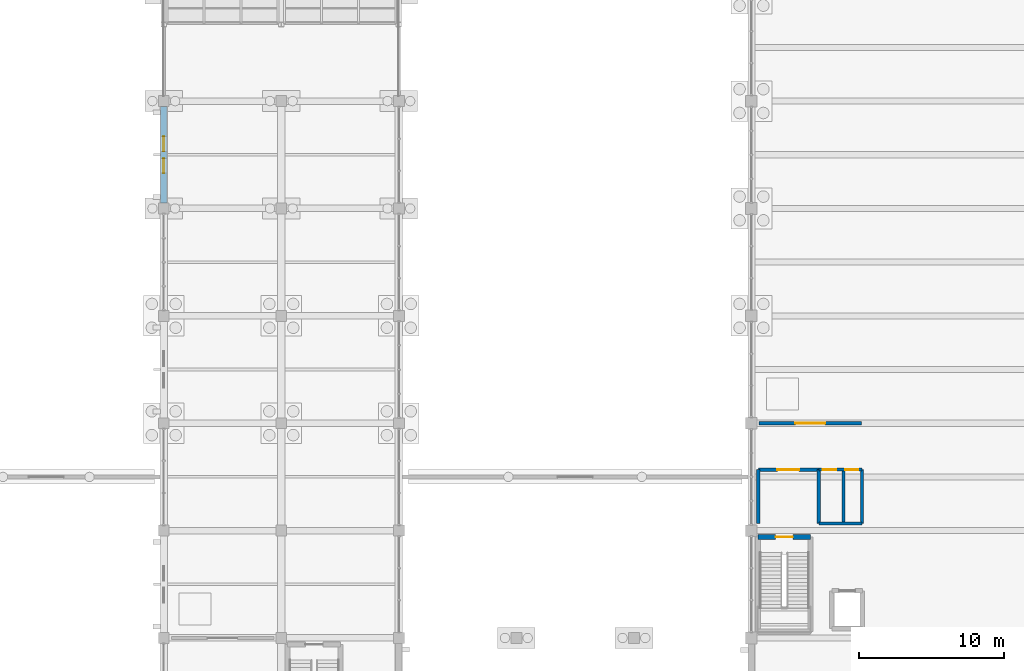
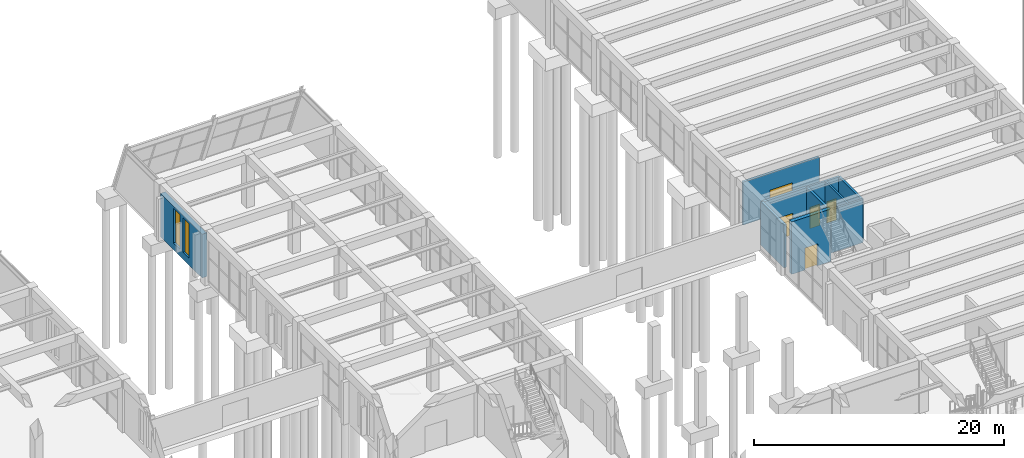
# One storey, part 128 of 140: 10 walls, 5 doors, 2 windows, 7 openings.
"""IFC4 building model written with IfcOpenShell, lengths in metres."""

from ifc_helpers import new_model, si_unit, direction, frame, frame_2d, origin, place, context, subcontext, project, spatial, rectangle, extrude, material, layer, layer_set, type_object, element, fill, save


model = new_model("IFC4")

# Units and contexts
model_context = context("Model", 3, precision=1e-05, world=origin(), true_north=direction((0.0, 1.0)))
body_context = subcontext(model_context, "Body", "Model", "MODEL_VIEW")
ifc_project = project(units=[si_unit("LENGTHUNIT", "METRE"), si_unit("AREAUNIT", "SQUARE_METRE"), si_unit("VOLUMEUNIT", "CUBIC_METRE"), si_unit("PLANEANGLEUNIT", "RADIAN"), si_unit("MASSUNIT", "GRAM", prefix="KILO")], contexts=[model_context])

# Site, building, storey
site_placement = place(None, origin())
site = spatial("IfcSite", under=ifc_project, at=site_placement, CompositionType="ELEMENT")
building_placement = place(site_placement, origin())
building = spatial("IfcBuilding", under=site, at=building_placement, Name="Cimatlan Art Gallery", CompositionType="ELEMENT")
storey_placement = place(building_placement, origin())
storey = spatial("IfcBuildingStorey", under=building, at=storey_placement, Name="L00", CompositionType="ELEMENT", Elevation=0.0)

# Wall, opening, door
ifc_material_1 = material(Name="Concrete C40/50", Category="concrete")
ifc_layer_1 = layer(ifc_material_1, 0.35009765625)
ifc_layer_set_1 = layer_set([ifc_layer_1], Name="Concrete C40/50")
wall_type_1 = type_object("IfcWallType", Name="W-CORE-350", PredefinedType="SHEAR", material=ifc_layer_set_1)
wall_1_placement = place(storey_placement, frame((75.340087890625, 67.860107421875, 0.0), z_axis=(0.0, 0.0, 1.0), x_axis=(1.0, 0.0, 0.0)))
wall_1 = element("IfcWall", 1, at=wall_1_placement, inside=storey, type_object=wall_type_1, Name="WL-CORE-C6-L00-SN", PredefinedType="SHEAR", context=body_context, shape_type="SweptSolid", body=[
    extrude(rectangle(XDim=3.639892578125, YDim=0.35009765625, at=frame_2d((1.81982421875, 0.0))), origin(), (0.0, 0.0, 1.0), 5.1298828125),
])
opening_1_placement = place(wall_1_placement, frame((1.219970703125, 0.0, 0.0)))
opening_1 = element("IfcOpeningElement", 2, at=opening_1_placement, cuts=wall_1, Name="Opening FD-C6-L00", PredefinedType="OPENING", context=body_context, shape_type="SweptSolid", body=[
    extrude(rectangle(XDim=1.199951171875, YDim=2.14990234375, at=frame_2d((0.60009765625, 1.074951171875))), frame((0.0, 0.18505859375, 0.0), z_axis=(0.0, -1.0, 0.0), x_axis=(1.0, 0.0, 0.0)), (0.0, 0.0, 1.0), 0.3701171875),
])
ifc_material_2 = material(Name="Fire-resisting steel acoustic stair door", Category="steel")
door_type_1 = type_object("IfcDoorType", Name="FD-ST-1200", OperationType="NOTDEFINED", PredefinedType="DOOR", material=ifc_material_2)
door_1_placement = place(opening_1_placement, origin())
door_1 = element("IfcDoor", 3, at=door_1_placement, inside=storey, type_object=door_type_1, Name="DR-C6-L00-ST", OperationType="SINGLE_SWING_LEFT", OverallHeight=2.14990234375, OverallWidth=1.199951171875, PredefinedType="DOOR", context=body_context, shape_type="SweptSolid", body=[
    extrude(rectangle(XDim=1.199951171875, YDim=2.14990234375, at=frame_2d((0.60009765625, 1.074951171875))), frame((0.0, 0.02490234375, 0.0), z_axis=(0.0, -1.0, 0.0), x_axis=(1.0, 0.0, 0.0)), (0.0, 0.0, 1.0), 0.050048828125),
])
fill(opening_1, door_1)

ifc_material_3 = material(Name="Precast concrete C40/50", Category="concrete")
ifc_layer_2 = layer(ifc_material_3, 0.2451171875)
ifc_layer_set_2 = layer_set([ifc_layer_2], Name="Precast concrete C40/50")
wall_type_2 = type_object("IfcWallType", Name="W-FFL-245", PredefinedType="PARTITIONING", material=ifc_layer_set_2)
wall_2_placement = place(storey_placement, frame((75.3798828125, 72.5, 0.0), z_axis=(0.0, 0.0, 1.0), x_axis=(1.0, 0.0, 0.0)))
wall_2 = element("IfcWall", 4, at=wall_2_placement, inside=storey, type_object=wall_type_2, Name="WL-LOB-C6-L00-N", PredefinedType="PARTITIONING", context=body_context, shape_type="SweptSolid", body=[
    extrude(rectangle(XDim=4.170166015625, YDim=0.2451171875, at=frame_2d((2.0849609375, 0.0))), origin(), (0.0, 0.0, 1.0), 4.197998046875),
])
opening_2_placement = place(wall_2_placement, frame((1.300048828125, 0.0, 0.0)))
opening_2 = element("IfcOpeningElement", 5, at=opening_2_placement, cuts=wall_2, Name="Opening FDL-C6-L00", PredefinedType="OPENING", context=body_context, shape_type="SweptSolid", body=[
    extrude(rectangle(XDim=1.5, YDim=2.14990234375, at=frame_2d((0.75, 1.074951171875))), frame((0.0, 0.132568359375, 0.0), z_axis=(0.0, -1.0, 0.0), x_axis=(1.0, 0.0, 0.0)), (0.0, 0.0, 1.0), 0.26513671875),
])
ifc_material_4 = material(Name="Fire-resisting double-seal lobby door")
door_type_2 = type_object("IfcDoorType", Name="FD-LB-1500", OperationType="NOTDEFINED", PredefinedType="DOOR", material=ifc_material_4)
door_2_placement = place(opening_2_placement, origin())
door_2 = element("IfcDoor", 6, at=door_2_placement, inside=storey, type_object=door_type_2, Name="DR-LOB-C6-L00", OperationType="SINGLE_SWING_RIGHT", OverallHeight=2.14990234375, OverallWidth=1.5, PredefinedType="DOOR", context=body_context, shape_type="SweptSolid", body=[
    extrude(rectangle(XDim=1.5, YDim=2.14990234375, at=frame_2d((0.75, 1.074951171875))), frame((0.0, 0.02490234375, 0.0), z_axis=(0.0, -1.0, 0.0), x_axis=(1.0, 0.0, 0.0)), (0.0, 0.0, 1.0), 0.050048828125),
])
fill(opening_2, door_2)

# Walls
for number, where, z_axis, x_axis, name in (
    (7, (75.3798828125, 68.780029296875, 0.0), (0.0, 0.0, 1.0), (0.0, 1.0, 0.0), "WL-LOB-C6-L00-W"),
    (8, (79.550048828125, 68.780029296875, 0.0), (0.0, 0.0, 1.0), (0.0, 1.0, 0.0), "WL-LOB-C6-L00-M"),
):
    element("IfcWall", number, at=place(storey_placement, frame(where, z_axis=z_axis, x_axis=x_axis)), inside=storey, type_object=wall_type_2, Name=name, PredefinedType="PARTITIONING", context=body_context, shape_type="SweptSolid", body=[
        extrude(rectangle(XDim=3.719970703125, YDim=0.2451171875, at=frame_2d((1.85986328125, 0.0))), origin(), (0.0, 0.0, 1.0), 4.197998046875),
    ])

# Wall, opening, door
ifc_material_5 = material(Name="Acoustic gypsum and steel stud partition", Category="steel")
ifc_layer_3 = layer(ifc_material_5, 0.22509765625)
ifc_layer_set_3 = layer_set([ifc_layer_3], Name="Acoustic gypsum and steel stud partition")
wall_type_3 = type_object("IfcWallType", Name="W-GAL-225", PredefinedType="PARTITIONING", material=ifc_layer_set_3)
wall_3_placement = place(storey_placement, frame((75.419921875, 75.699951171875, 0.0), z_axis=(0.0, 0.0, 1.0), x_axis=(1.0, 0.0, 0.0)))
wall_3 = element("IfcWall", 9, at=wall_3_placement, inside=storey, type_object=wall_type_3, Name="WL-RM-L00-GAL-C2", PredefinedType="PARTITIONING", context=body_context, shape_type="SweptSolid", body=[
    extrude(rectangle(XDim=7.06005859375, YDim=0.22509765625, at=frame_2d((3.530029296875, 0.0))), origin(), (0.0, 0.0, 1.0), 4.197998046875),
])
opening_3_placement = place(wall_3_placement, frame((2.5048828125, 0.0, 0.0)))
opening_3 = element("IfcOpeningElement", 10, at=opening_3_placement, cuts=wall_3, Name="Opening DI-0184", PredefinedType="OPENING", context=body_context, shape_type="SweptSolid", body=[
    extrude(rectangle(XDim=2.050048828125, YDim=2.550048828125, at=frame_2d((1.02490234375, 1.27490234375))), frame((0.0, 0.12255859375, 0.0), z_axis=(0.0, -1.0, 0.0), x_axis=(1.0, 0.0, 0.0)), (0.0, 0.0, 1.0), 0.2451171875),
])
ifc_material_6 = material(Name="European oak and bronze gallery portal door")
door_type_3 = type_object("IfcDoorType", Name="DI-GL-2050", OperationType="NOTDEFINED", PredefinedType="DOOR", material=ifc_material_6)
door_3_placement = place(opening_3_placement, origin())
door_3 = element("IfcDoor", 11, at=door_3_placement, inside=storey, type_object=door_type_3, Name="DR-RM-L00-GAL-C2", OperationType="SINGLE_SWING_RIGHT", OverallHeight=2.550048828125, OverallWidth=2.050048828125, PredefinedType="DOOR", context=body_context, shape_type="SweptSolid", body=[
    extrude(rectangle(XDim=2.050048828125, YDim=2.550048828125, at=frame_2d((1.02490234375, 1.27490234375))), frame((0.0, 0.02490234375, 0.0), z_axis=(0.0, -1.0, 0.0), x_axis=(1.0, 0.0, 0.0)), (0.0, 0.0, 1.0), 0.050048828125),
])
fill(opening_3, door_3)

# Walls
ifc_material_7 = material(Name="Moisture-resistant fire-rated plumbing wall")
ifc_layer_4 = layer(ifc_material_7, 0.195068359375)
ifc_layer_set_4 = layer_set([ifc_layer_4], Name="Moisture-resistant fire-rated plumbing wall")
wall_type_4 = type_object("IfcWallType", Name="W-PLM-195", PredefinedType="PARTITIONING", material=ifc_layer_set_4)
for number, where, z_axis, x_axis, name in (
    (12, (81.25, 68.780029296875, 0.0), (0.0, 0.0, 1.0), (0.0, 1.0, 0.0), "WL-LOB-C6-L00-D"),
    (13, (82.52001953125, 68.780029296875, 0.0), (0.0, 0.0, 1.0), (0.0, 1.0, 0.0), "WL-LOB-C6-L00-E"),
):
    element("IfcWall", number, at=place(storey_placement, frame(where, z_axis=z_axis, x_axis=x_axis)), inside=storey, type_object=wall_type_4, Name=name, PredefinedType="PARTITIONING", context=body_context, shape_type="SweptSolid", body=[
        extrude(rectangle(XDim=3.719970703125, YDim=0.195068359375, at=frame_2d((1.85986328125, 0.0))), origin(), (0.0, 0.0, 1.0), 4.197998046875),
    ])
wall_4_placement = place(storey_placement, frame((79.550048828125, 68.780029296875, 0.0), z_axis=(0.0, 0.0, 1.0), x_axis=(1.0, 0.0, 0.0)))
element("IfcWall", 14, at=wall_4_placement, inside=storey, type_object=wall_type_4, Name="WL-LOB-C6-L00-S", PredefinedType="PARTITIONING", context=body_context, shape_type="SweptSolid", body=[
    extrude(rectangle(XDim=2.969970703125, YDim=0.195068359375, at=frame_2d((1.48486328125, 0.0))), origin(), (0.0, 0.0, 1.0), 4.197998046875),
])

# Wall, openings, doors
wall_5_placement = place(storey_placement, frame((79.550048828125, 72.5, 0.0), z_axis=(0.0, 0.0, 1.0), x_axis=(1.0, 0.0, 0.0)))
wall_5 = element("IfcWall", 15, at=wall_5_placement, inside=storey, type_object=wall_type_4, Name="WL-WC-C6-L00-N", PredefinedType="PARTITIONING", context=body_context, shape_type="SweptSolid", body=[
    extrude(rectangle(XDim=2.969970703125, YDim=0.195068359375, at=frame_2d((1.48486328125, 0.0))), origin(), (0.0, 0.0, 1.0), 4.197998046875),
])
opening_4_placement = place(wall_5_placement, frame((0.25, 0.0, 0.0)))
opening_4 = element("IfcOpeningElement", 16, at=opening_4_placement, cuts=wall_5, Name="Opening DWC-C6A-L00", PredefinedType="OPENING", context=body_context, shape_type="SweptSolid", body=[
    extrude(rectangle(XDim=0.949951171875, YDim=2.10009765625, at=frame_2d((0.47509765625, 1.050048828125))), frame((0.0, 0.107421875, 0.0), z_axis=(0.0, -1.0, 0.0), x_axis=(1.0, 0.0, 0.0)), (0.0, 0.0, 1.0), 0.215087890625),
])
opening_5_placement = place(wall_5_placement, frame((1.820068359375, 0.0, 0.0)))
opening_5 = element("IfcOpeningElement", 17, at=opening_5_placement, cuts=wall_5, Name="Opening DWC-C6B-L00", PredefinedType="OPENING", context=body_context, shape_type="SweptSolid", body=[
    extrude(rectangle(XDim=0.89990234375, YDim=2.10009765625, at=frame_2d((0.449951171875, 1.050048828125))), frame((0.0, 0.107421875, 0.0), z_axis=(0.0, -1.0, 0.0), x_axis=(1.0, 0.0, 0.0)), (0.0, 0.0, 1.0), 0.215087890625),
])
ifc_material_8 = material(Name="Sanitary room door")
door_type_4 = type_object("IfcDoorType", Name="DI-WC-0900", OperationType="NOTDEFINED", PredefinedType="DOOR", material=ifc_material_8)
door_4_placement = place(opening_5_placement, origin())
door_4 = element("IfcDoor", 18, at=door_4_placement, inside=storey, type_object=door_type_4, Name="DR-PWC-C6-L00", OperationType="SINGLE_SWING_RIGHT", OverallHeight=2.10009765625, OverallWidth=0.89990234375, PredefinedType="DOOR", context=body_context, shape_type="SweptSolid", body=[
    extrude(rectangle(XDim=0.89990234375, YDim=2.10009765625, at=frame_2d((0.449951171875, 1.050048828125))), frame((0.0, 0.02490234375, 0.0), z_axis=(0.0, -1.0, 0.0), x_axis=(1.0, 0.0, 0.0)), (0.0, 0.0, 1.0), 0.050048828125),
])
fill(opening_5, door_4)
ifc_material_9 = material(Name="Accessible sanitary room door")
door_type_5 = type_object("IfcDoorType", Name="DI-WC-0950", OperationType="NOTDEFINED", PredefinedType="DOOR", material=ifc_material_9)
door_5_placement = place(opening_4_placement, origin())
door_5 = element("IfcDoor", 19, at=door_5_placement, inside=storey, type_object=door_type_5, Name="DR-AWC-C6-L00", OperationType="SINGLE_SWING_LEFT", OverallHeight=2.10009765625, OverallWidth=0.949951171875, PredefinedType="DOOR", context=body_context, shape_type="SweptSolid", body=[
    extrude(rectangle(XDim=0.949951171875, YDim=2.10009765625, at=frame_2d((0.47509765625, 1.050048828125))), frame((0.0, 0.02490234375, 0.0), z_axis=(0.0, -1.0, 0.0), x_axis=(1.0, 0.0, 0.0)), (0.0, 0.0, 1.0), 0.050048828125),
])
fill(opening_4, door_5)

# Wall, openings, windows
ifc_layer_5 = layer(ifc_material_3, 0.43994140625)
ifc_layer_set_5 = layer_set([ifc_layer_5], Name="Precast concrete C40/50")
wall_type_5 = type_object("IfcWallType", Name="WL-EXT-CAN-440", PredefinedType="SOLIDWALL", material=ifc_layer_set_5)
wall_6_placement = place(storey_placement, frame((34.39990234375, 90.87890625, 0.0), z_axis=(0.0, 0.0, 1.0), x_axis=(0.0, 1.0, 0.0)))
wall_6 = element("IfcWall", 20, at=wall_6_placement, inside=storey, type_object=wall_type_5, Name="WL-EXT-L00-04-12-W", PredefinedType="SOLIDWALL", context=body_context, shape_type="SweptSolid", body=[
    extrude(rectangle(XDim=6.64208984375, YDim=0.43994140625, at=frame_2d((3.321044921875, 0.0))), origin(), (0.0, 0.0, 1.0), 4.27001953125),
])
opening_6_placement = place(wall_6_placement, frame((2.06103515625, 0.0, 0.64990234375)))
opening_6 = element("IfcOpeningElement", 21, at=opening_6_placement, cuts=wall_6, Name="Opening WN-0041", PredefinedType="OPENING", context=body_context, shape_type="SweptSolid", body=[
    extrude(rectangle(XDim=1.02001953125, YDim=3.3798828125, at=frame_2d((0.510009765625, 1.68994140625))), frame((0.0, 0.22998046875, 0.0), z_axis=(0.0, -1.0, 0.0), x_axis=(1.0, 0.0, 0.0)), (0.0, 0.0, 1.0), 0.4599609375),
])
opening_7_placement = place(wall_6_placement, frame((3.56103515625, 0.0, 0.64990234375)))
opening_7 = element("IfcOpeningElement", 22, at=opening_7_placement, cuts=wall_6, Name="Opening WN-0042", PredefinedType="OPENING", context=body_context, shape_type="SweptSolid", body=[
    extrude(rectangle(XDim=1.02001953125, YDim=3.3798828125, at=frame_2d((0.510009765625, 1.68994140625))), frame((0.0, 0.22998046875, 0.0), z_axis=(0.0, -1.0, 0.0), x_axis=(1.0, 0.0, 0.0)), (0.0, 0.0, 1.0), 0.4599609375),
])
ifc_material_10 = material(Name="Low-E laminated double glazing in bronze lancet frame", Category="glass")
window_type = type_object("IfcWindowType", Name="WIN-PAV-W0-1020X3380", PartitioningType="SINGLE_PANEL", PredefinedType="WINDOW", material=ifc_material_10)
window_1_placement = place(opening_6_placement, origin())
window_1 = element("IfcWindow", 23, at=window_1_placement, inside=storey, type_object=window_type, Name="WIN-0041", OverallHeight=3.3798828125, OverallWidth=1.02001953125, PartitioningType="SINGLE_PANEL", PredefinedType="WINDOW", context=body_context, shape_type="SweptSolid", body=[
    extrude(rectangle(XDim=1.02001953125, YDim=3.3798828125, at=frame_2d((0.510009765625, 1.68994140625))), frame((0.0, 0.030029296875, 0.0), z_axis=(0.0, -1.0, 0.0), x_axis=(1.0, 0.0, 0.0)), (0.0, 0.0, 1.0), 0.06005859375),
])
fill(opening_6, window_1)
window_2_placement = place(opening_7_placement, origin())
window_2 = element("IfcWindow", 24, at=window_2_placement, inside=storey, type_object=window_type, Name="WIN-0042", OverallHeight=3.3798828125, OverallWidth=1.02001953125, PartitioningType="SINGLE_PANEL", PredefinedType="WINDOW", context=body_context, shape_type="SweptSolid", body=[
    extrude(rectangle(XDim=1.02001953125, YDim=3.3798828125, at=frame_2d((0.510009765625, 1.68994140625))), frame((0.0, 0.030029296875, 0.0), z_axis=(0.0, -1.0, 0.0), x_axis=(1.0, 0.0, 0.0)), (0.0, 0.0, 1.0), 0.06005859375),
])
fill(opening_7, window_2)

save(model, "model.ifc")
